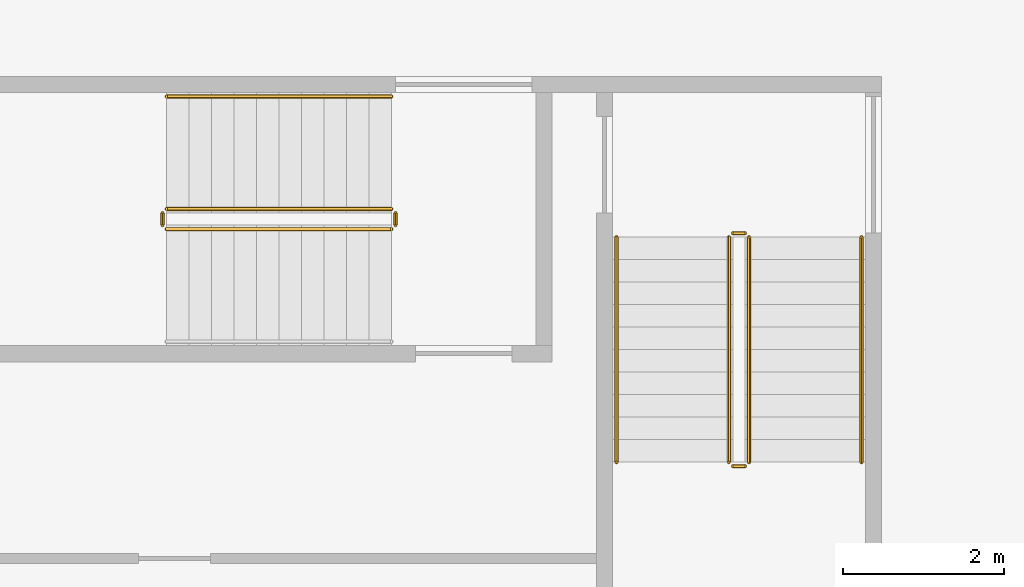
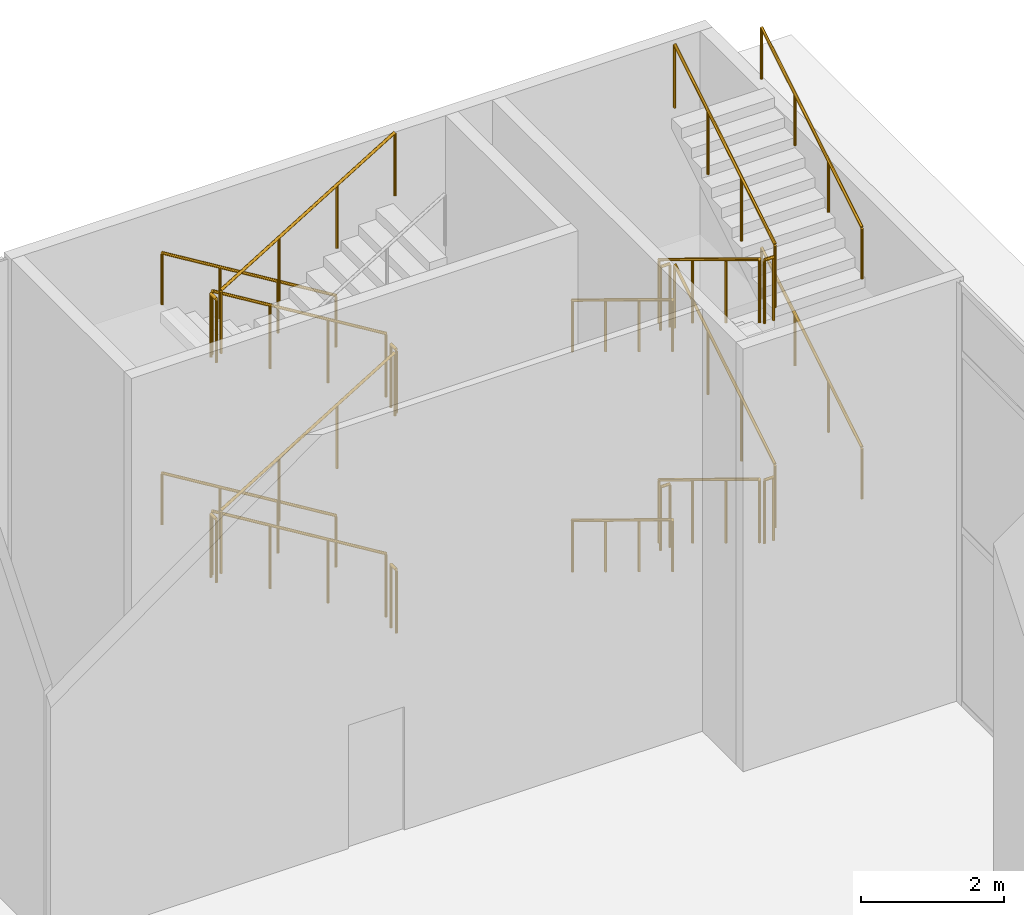
# One storey, part 51 of 52: 22 railings.
"""IFC4 building model written with IfcOpenShell, lengths in metres."""

from ifc_helpers import new_model, si_unit, direction, frame, origin, origin_2d, place, context, subcontext, project, spatial, circle, extrude, source, transform, mapped, material, type_object, element, save


model = new_model("IFC4")

# Units and contexts
model_context = context("Model", 3, precision=1e-05, world=origin(), true_north=direction((0.0, 1.0)))
body_context = subcontext(model_context, "Body", "Model", "MODEL_VIEW")
ifc_project = project(units=[si_unit("LENGTHUNIT", "METRE"), si_unit("AREAUNIT", "SQUARE_METRE"), si_unit("VOLUMEUNIT", "CUBIC_METRE"), si_unit("PLANEANGLEUNIT", "RADIAN"), si_unit("MASSUNIT", "GRAM", prefix="KILO")], contexts=[model_context])

# Site, building, storey
site_placement = place(None, origin())
site = spatial("IfcSite", under=ifc_project, at=site_placement, CompositionType="ELEMENT")
building_placement = place(site_placement, origin())
building = spatial("IfcBuilding", under=site, at=building_placement, Name="Khomas Fold Tower", CompositionType="ELEMENT")
storey_placement = place(building_placement, origin())
storey = spatial("IfcBuildingStorey", under=building, at=storey_placement, Name="L00", CompositionType="ELEMENT", Elevation=0.0)

# Railings
ifc_material_1 = material(Name="Steel balustrade", Category="steel")
railing_type_1 = type_object("IfcRailingType", Name="Stair guard", PredefinedType="GUARDRAIL", material=ifc_material_1)
shared_shape_1 = source(origin(), body_context, "Body", "SweptSolid", [
    extrude(circle(Radius=0.02392578125, at=origin_2d()), frame((0.0, 0.0, 1.076171875), z_axis=(0.854149651119, 0.0, 0.520027281489), x_axis=(0.0, 1.0, 0.0)), (0.0, 0.0, 1.0), 3.27783203125),
    extrude(circle(Radius=0.02099609375, at=origin_2d()), origin(), (0.0, 0.0, 1.0), 1.052001953125),
    extrude(circle(Radius=0.02099609375, at=origin_2d()), frame((0.933349609375, 0.0, 0.568115234375)), (0.0, 0.0, 1.0), 1.052001953125),
    extrude(circle(Radius=0.02099609375, at=origin_2d()), frame((1.866455078125, 0.0, 1.136474609375)), (0.0, 0.0, 1.0), 1.052001953125),
    extrude(circle(Radius=0.02099609375, at=origin_2d()), frame((2.7998046875, 0.0, 1.70458984375)), (0.0, 0.0, 1.0), 1.052001953125),
])
for number, where, name in (
    (1, (72.10009765625, 52.10009765625, 2.04541015625), "L00 PS5 stair guard 3"),
    (2, (72.10009765625, 52.10009765625, 5.79541015625), "L00 PS5 stair guard 7"),
):
    element("IfcRailing", number, at=place(storey_placement, frame(where)), inside=storey, type_object=railing_type_1, Name=name, PredefinedType="GUARDRAIL", context=body_context, shape_type="MappedRepresentation", body=[
        mapped(shared_shape_1, transform((0.0, 0.0, 0.0))),
    ])
shared_shape_2 = source(origin(), body_context, "Body", "SweptSolid", [
    extrude(circle(Radius=0.02392578125, at=origin_2d()), frame((0.0, 0.0, 1.076171875), z_axis=(-0.854149651119, 0.0, 0.520027281489), x_axis=(0.0, -1.0, 0.0)), (0.0, 0.0, 1.0), 3.27783203125),
    extrude(circle(Radius=0.02099609375, at=origin_2d()), origin(), (0.0, 0.0, 1.0), 1.052001953125),
    extrude(circle(Radius=0.02099609375, at=origin_2d()), frame((-0.933349609375, 0.0, 0.568115234375)), (0.0, 0.0, 1.0), 1.052001953125),
    extrude(circle(Radius=0.02099609375, at=origin_2d()), frame((-1.866455078125, 0.0, 1.136474609375)), (0.0, 0.0, 1.0), 1.052001953125),
    extrude(circle(Radius=0.02099609375, at=origin_2d()), frame((-2.7998046875, 0.0, 1.70458984375)), (0.0, 0.0, 1.0), 1.052001953125),
])
for number, where, name in (
    (3, (74.89990234375, 52.35009765625, 0.17041015625), "L00 PS5 stair guard 1"),
    (4, (74.89990234375, 52.35009765625, 3.92041015625), "L00 PS5 stair guard 5"),
):
    element("IfcRailing", number, at=place(storey_placement, frame(where)), inside=storey, type_object=railing_type_1, Name=name, PredefinedType="GUARDRAIL", context=body_context, shape_type="MappedRepresentation", body=[
        mapped(shared_shape_2, transform((0.0, 0.0, 0.0))),
    ])
ifc_material_2 = material(Name="Steel handrail", Category="steel")
railing_type_2 = type_object("IfcRailingType", Name="Stair handrail", PredefinedType="HANDRAIL", material=ifc_material_2)
shared_shape_3 = source(origin(), body_context, "Body", "SweptSolid", [
    extrude(circle(Radius=0.02392578125, at=origin_2d()), frame((0.0, 0.0, 0.8759765625), z_axis=(-0.854149651119, 0.0, 0.520027281489), x_axis=(0.0, -1.0, 0.0)), (0.0, 0.0, 1.0), 3.27783203125),
    extrude(circle(Radius=0.02099609375, at=origin_2d()), origin(), (0.0, 0.0, 1.0), 0.851806640625),
    extrude(circle(Radius=0.02099609375, at=origin_2d()), frame((-0.933349609375, 0.0, 0.568115234375)), (0.0, 0.0, 1.0), 0.851806640625),
    extrude(circle(Radius=0.02099609375, at=origin_2d()), frame((-1.866455078125, 0.0, 1.136474609375)), (0.0, 0.0, 1.0), 0.851806640625),
    extrude(circle(Radius=0.02099609375, at=origin_2d()), frame((-2.7998046875, 0.0, 1.70458984375)), (0.0, 0.0, 1.0), 0.851806640625),
])
for number, where, name in (
    (5, (74.89990234375, 53.75, 0.17041015625), "L00 PS5 stair handrail 1"),
    (6, (74.89990234375, 53.75, 3.92041015625), "L00 PS5 stair handrail 3"),
):
    element("IfcRailing", number, at=place(storey_placement, frame(where)), inside=storey, type_object=railing_type_2, Name=name, PredefinedType="HANDRAIL", context=body_context, shape_type="MappedRepresentation", body=[
        mapped(shared_shape_3, transform((0.0, 0.0, 0.0))),
    ])
shared_shape_4 = source(origin(), body_context, "Body", "SweptSolid", [
    extrude(circle(Radius=0.02392578125, at=origin_2d()), frame((0.0, 0.0, 1.076171875), z_axis=(0.0, -1.0, 0.0), x_axis=(1.0, 0.0, 0.0)), (0.0, 0.0, 1.0), 0.150146484375),
    extrude(circle(Radius=0.02099609375, at=origin_2d()), origin(), (0.0, 0.0, 1.0), 1.052001953125),
    extrude(circle(Radius=0.02099609375, at=origin_2d()), frame((0.0, -0.150146484375, 0.0)), (0.0, 0.0, 1.0), 1.052001953125),
])
for number, where, name in (
    (7, (72.050048828125, 52.300048828125, 1.875), "L00 PS5 stair guard 2"),
    (8, (74.949951171875, 52.300048828125, 3.75), "L00 PS5 stair guard 4"),
    (9, (72.050048828125, 52.300048828125, 5.625), "L00 PS5 stair guard 6"),
    (10, (74.949951171875, 52.300048828125, 0.0), "L00 PS5 stair guard 8"),
):
    element("IfcRailing", number, at=place(storey_placement, frame(where)), inside=storey, type_object=railing_type_1, Name=name, PredefinedType="GUARDRAIL", context=body_context, shape_type="MappedRepresentation", body=[
        mapped(shared_shape_4, transform((0.0, 0.0, 0.0))),
    ])
shared_shape_5 = source(origin(), body_context, "Body", "SweptSolid", [
    extrude(circle(Radius=0.02392578125, at=origin_2d()), frame((0.0, 0.0, 1.076171875), z_axis=(0.0, 0.854169791009, 0.51999420009), x_axis=(-1.0, 0.0, 0.0)), (0.0, 0.0, 1.0), 3.278076171875),
    extrude(circle(Radius=0.02099609375, at=origin_2d()), origin(), (0.0, 0.0, 1.0), 1.052001953125),
    extrude(circle(Radius=0.02099609375, at=origin_2d()), frame((0.0, 0.933349609375, 0.568115234375)), (0.0, 0.0, 1.0), 1.052001953125),
    extrude(circle(Radius=0.02099609375, at=origin_2d()), frame((0.0, 1.86669921875, 1.136474609375)), (0.0, 0.0, 1.0), 1.052001953125),
    extrude(circle(Radius=0.02099609375, at=origin_2d()), frame((0.0, 2.800048828125, 1.70458984375)), (0.0, 0.0, 1.0), 1.052001953125),
])
for number, where, name in (
    (11, (79.35009765625, 49.199951171875, 2.04541015625), "L00 PS6 stair guard 3"),
    (12, (79.35009765625, 49.199951171875, 5.79541015625), "L00 PS6 stair guard 7"),
):
    element("IfcRailing", number, at=place(storey_placement, frame(where)), inside=storey, type_object=railing_type_1, Name=name, PredefinedType="GUARDRAIL", context=body_context, shape_type="MappedRepresentation", body=[
        mapped(shared_shape_5, transform((0.0, 0.0, 0.0))),
    ])
shared_shape_6 = source(origin(), body_context, "Body", "SweptSolid", [
    extrude(circle(Radius=0.02392578125, at=origin_2d()), frame((0.0, 0.0, 1.076171875), z_axis=(0.0, -0.854169791009, 0.51999420009), x_axis=(1.0, 0.0, 0.0)), (0.0, 0.0, 1.0), 3.278076171875),
    extrude(circle(Radius=0.02099609375, at=origin_2d()), origin(), (0.0, 0.0, 1.0), 1.052001953125),
    extrude(circle(Radius=0.02099609375, at=origin_2d()), frame((0.0, -0.933349609375, 0.568115234375)), (0.0, 0.0, 1.0), 1.052001953125),
    extrude(circle(Radius=0.02099609375, at=origin_2d()), frame((0.0, -1.86669921875, 1.136474609375)), (0.0, 0.0, 1.0), 1.052001953125),
    extrude(circle(Radius=0.02099609375, at=origin_2d()), frame((0.0, -2.800048828125, 1.70458984375)), (0.0, 0.0, 1.0), 1.052001953125),
])
for number, where, name in (
    (13, (79.10009765625, 52.0, 0.17041015625), "L00 PS6 stair guard 1"),
    (14, (79.10009765625, 52.0, 3.92041015625), "L00 PS6 stair guard 5"),
):
    element("IfcRailing", number, at=place(storey_placement, frame(where)), inside=storey, type_object=railing_type_1, Name=name, PredefinedType="GUARDRAIL", context=body_context, shape_type="MappedRepresentation", body=[
        mapped(shared_shape_6, transform((0.0, 0.0, 0.0))),
    ])
shared_shape_7 = source(origin(), body_context, "Body", "SweptSolid", [
    extrude(circle(Radius=0.02392578125, at=origin_2d()), frame((0.0, 0.0, 0.8759765625), z_axis=(0.0, 0.854169791009, 0.51999420009), x_axis=(-1.0, 0.0, 0.0)), (0.0, 0.0, 1.0), 3.278076171875),
    extrude(circle(Radius=0.02099609375, at=origin_2d()), origin(), (0.0, 0.0, 1.0), 0.851806640625),
    extrude(circle(Radius=0.02099609375, at=origin_2d()), frame((0.0, 0.933349609375, 0.568115234375)), (0.0, 0.0, 1.0), 0.851806640625),
    extrude(circle(Radius=0.02099609375, at=origin_2d()), frame((0.0, 1.86669921875, 1.136474609375)), (0.0, 0.0, 1.0), 0.851806640625),
    extrude(circle(Radius=0.02099609375, at=origin_2d()), frame((0.0, 2.800048828125, 1.70458984375)), (0.0, 0.0, 1.0), 0.851806640625),
])
for number, where, name in (
    (15, (80.75, 49.199951171875, 2.04541015625), "L00 PS6 stair handrail 2"),
    (16, (80.75, 49.199951171875, 5.79541015625), "L00 PS6 stair handrail 4"),
):
    element("IfcRailing", number, at=place(storey_placement, frame(where)), inside=storey, type_object=railing_type_2, Name=name, PredefinedType="HANDRAIL", context=body_context, shape_type="MappedRepresentation", body=[
        mapped(shared_shape_7, transform((0.0, 0.0, 0.0))),
    ])
shared_shape_8 = source(origin(), body_context, "Body", "SweptSolid", [
    extrude(circle(Radius=0.02392578125, at=origin_2d()), frame((0.0, 0.0, 0.8759765625), z_axis=(0.0, -0.854169791009, 0.51999420009), x_axis=(1.0, 0.0, 0.0)), (0.0, 0.0, 1.0), 3.278076171875),
    extrude(circle(Radius=0.02099609375, at=origin_2d()), origin(), (0.0, 0.0, 1.0), 0.851806640625),
    extrude(circle(Radius=0.02099609375, at=origin_2d()), frame((0.0, -0.933349609375, 0.568115234375)), (0.0, 0.0, 1.0), 0.851806640625),
    extrude(circle(Radius=0.02099609375, at=origin_2d()), frame((0.0, -1.86669921875, 1.136474609375)), (0.0, 0.0, 1.0), 0.851806640625),
    extrude(circle(Radius=0.02099609375, at=origin_2d()), frame((0.0, -2.800048828125, 1.70458984375)), (0.0, 0.0, 1.0), 0.851806640625),
])
for number, where, name in (
    (17, (77.699951171875, 52.0, 0.17041015625), "L00 PS6 stair handrail 1"),
    (18, (77.699951171875, 52.0, 3.92041015625), "L00 PS6 stair handrail 3"),
):
    element("IfcRailing", number, at=place(storey_placement, frame(where)), inside=storey, type_object=railing_type_2, Name=name, PredefinedType="HANDRAIL", context=body_context, shape_type="MappedRepresentation", body=[
        mapped(shared_shape_8, transform((0.0, 0.0, 0.0))),
    ])
shared_shape_9 = source(origin(), body_context, "Body", "SweptSolid", [
    extrude(circle(Radius=0.02392578125, at=origin_2d()), frame((0.0, 0.0, 1.076171875), z_axis=(1.0, 0.0, 0.0), x_axis=(0.0, 1.0, 0.0)), (0.0, 0.0, 1.0), 0.150146484375),
    extrude(circle(Radius=0.02099609375, at=origin_2d()), origin(), (0.0, 0.0, 1.0), 1.052001953125),
    extrude(circle(Radius=0.02099609375, at=origin_2d()), frame((0.150146484375, 0.0, 0.0)), (0.0, 0.0, 1.0), 1.052001953125),
])
for number, where, name in (
    (19, (79.14990234375, 49.14990234375, 1.875), "L00 PS6 stair guard 2"),
    (20, (79.14990234375, 52.050048828125, 3.75), "L00 PS6 stair guard 4"),
    (21, (79.14990234375, 49.14990234375, 5.625), "L00 PS6 stair guard 6"),
    (22, (79.14990234375, 52.050048828125, 0.0), "L00 PS6 stair guard 8"),
):
    element("IfcRailing", number, at=place(storey_placement, frame(where)), inside=storey, type_object=railing_type_1, Name=name, PredefinedType="GUARDRAIL", context=body_context, shape_type="MappedRepresentation", body=[
        mapped(shared_shape_9, transform((0.0, 0.0, 0.0))),
    ])

save(model, "model.ifc")
